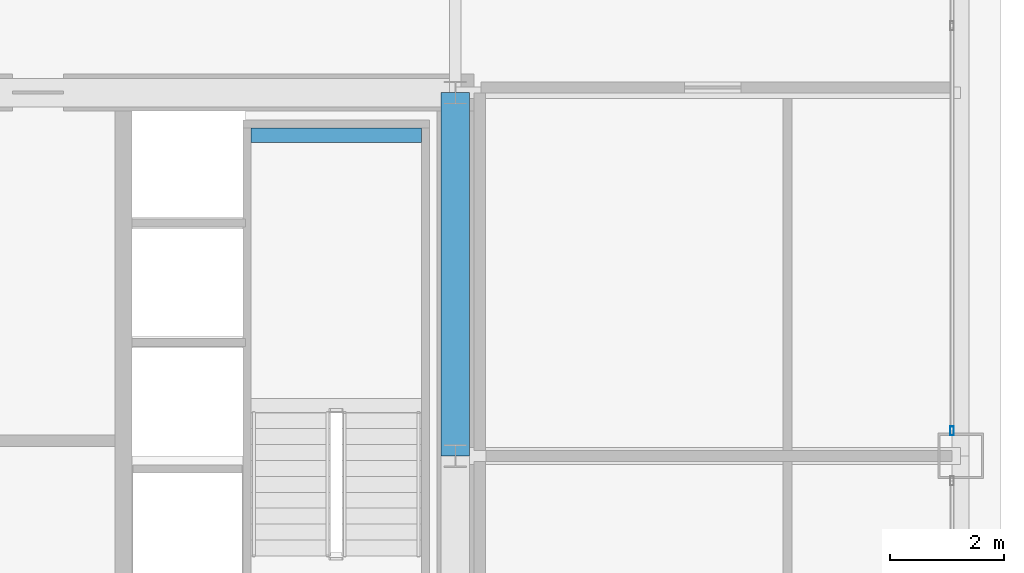
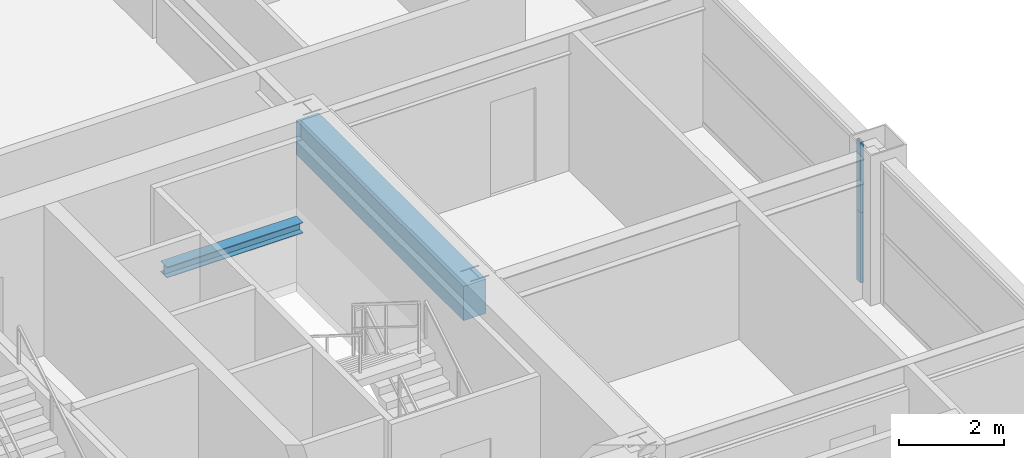
# One storey, part 27 of 45: 2 beams, 2 members, 1 element without a shape of its own.
"""IFC4 building model written with IfcOpenShell, lengths in metres."""

import ifcopenshell
import ifcopenshell.guid

model = None  # the IFC model being written
_history = None  # IfcOwnerHistory: only IFC2X3 demands one
_inside = {}  # id of a spatial element -> (the spatial element, [elements in it])
_under = {}  # id of a project, library or spatial element -> (it, [spatial elements below it])
_declared = {}  # id of a project -> (the project, [libraries it declares])
_typed = {}  # id of a type object -> (the type object, [elements of that type])
_made_of = {}  # id of a material, layer set ... -> (it, [elements and type objects made of it])


def new_model(schema):
    """Start an empty IFC model of exactly this schema.

    Asked for "IFC4X3", IfcOpenShell would pick the latest addendum, in which some entities
    have other attributes; the version numbers below select the first issue.
    IFC2X3 requires an IfcOwnerHistory on every rooted entity: one is made here for all.
    """
    global model, _history
    if schema == "IFC4X3":
        model = ifcopenshell.file(schema_version=(4, 3, 0, 0))
    else:
        model = ifcopenshell.file(schema=schema)
    _inside.clear()
    _under.clear()
    _declared.clear()
    _typed.clear()
    _made_of.clear()
    _history = None
    if model.schema == "IFC2X3":
        org = make("IfcOrganization", Name="unknown")
        user = make(
            "IfcPersonAndOrganization",
            ThePerson=make("IfcPerson", FamilyName="unknown"),
            TheOrganization=org,
        )
        app = make(
            "IfcApplication",
            ApplicationDeveloper=org,
            Version="unknown",
            ApplicationFullName="unknown",
            ApplicationIdentifier="unknown",
        )
        _history = make(
            "IfcOwnerHistory",
            OwningUser=user,
            OwningApplication=app,
            ChangeAction="ADDED",
            CreationDate=0,
        )
    return model


def make(cls, **values):
    """One entity of the class cls with the attributes given. An attribute that is None is left unset."""
    return model.create_entity(
        cls, **{name: value for name, value in values.items() if value is not None}
    )


def rooted(cls, **values):
    """An entity with a GlobalId (a new one), such as an element, a storey or a relation."""
    return make(cls, GlobalId=ifcopenshell.guid.new(), OwnerHistory=_history, **values)


def si_unit(unit_type, name, prefix=None):
    """IfcSIUnit, for example si_unit("LENGTHUNIT", "METRE", prefix="MILLI")."""
    return make("IfcSIUnit", UnitType=unit_type, Prefix=prefix, Name=name)


def assignment(units):
    """IfcUnitAssignment: the units of a project."""
    return None if units is None else make("IfcUnitAssignment", Units=units)


def point(xyz):
    """IfcCartesianPoint."""
    return None if xyz is None else make("IfcCartesianPoint", Coordinates=xyz)


def direction(xyz):
    """IfcDirection."""
    return None if xyz is None else make("IfcDirection", DirectionRatios=xyz)


def frame(location, z_axis=None, x_axis=None):
    """IfcAxis2Placement3D, a coordinate frame: its origin and axes. An axis left out is left unset."""
    return make(
        "IfcAxis2Placement3D",
        Location=point(location),
        Axis=direction(z_axis),
        RefDirection=direction(x_axis),
    )


def frame_2d(location, x_axis=None):
    """IfcAxis2Placement2D, a coordinate frame in the plane: its origin and x axis."""
    return make(
        "IfcAxis2Placement2D", Location=point(location), RefDirection=direction(x_axis)
    )


def origin():
    """The frame at (0, 0, 0) with its axes left unset."""
    return frame((0.0, 0.0, 0.0))


def origin_2d():
    """The frame at (0, 0) in the plane with its x axis left unset."""
    return frame_2d((0.0, 0.0))


def place(relative_to, where):
    """IfcLocalPlacement: puts the frame where relative to a parent placement (None: the world)."""
    return make(
        "IfcLocalPlacement", PlacementRelTo=relative_to, RelativePlacement=where
    )


def context(
    kind, dimensions, precision=None, world=None, true_north=None, identifier=None
):
    """IfcGeometricRepresentationContext, for example the 3D "Model" context."""
    return make(
        "IfcGeometricRepresentationContext",
        ContextIdentifier=identifier,
        ContextType=kind,
        CoordinateSpaceDimension=dimensions,
        Precision=precision,
        WorldCoordinateSystem=world,
        TrueNorth=true_north,
    )


def subcontext(parent, identifier, kind, view, scale=None):
    """IfcGeometricRepresentationSubContext, for example "Body" below "Model"."""
    return make(
        "IfcGeometricRepresentationSubContext",
        ContextIdentifier=identifier,
        ContextType=kind,
        ParentContext=parent,
        TargetScale=scale,
        TargetView=view,
    )


def project(units=None, contexts=None):
    """IfcProject with its units and contexts."""
    return rooted(
        "IfcProject",
        Name="project",
        RepresentationContexts=contexts,
        UnitsInContext=assignment(units),
    )


def spatial(cls, under=None, at=None, **own):
    """A site, building, storey or space (cls), placed at a placement, below another one or the project."""
    s = rooted(cls, ObjectPlacement=at, **own)
    if under is not None:
        _under.setdefault(under.id(), (under, []))[1].append(s)
    return s


def profile(cls, at=None, kind="AREA", **sizes):
    """A parametric profile (cls). Its sizes go by their IFC names, for example OverallWidth=200.0."""
    return make(cls, ProfileType=kind, Position=at, **sizes)


def rectangle(**sizes):
    """IfcRectangleProfileDef."""
    return profile("IfcRectangleProfileDef", **sizes)


def hollow_rectangle(**sizes):
    """IfcRectangleHollowProfileDef."""
    return profile("IfcRectangleHollowProfileDef", **sizes)


def i_section(**sizes):
    """IfcIShapeProfileDef."""
    return profile("IfcIShapeProfileDef", **sizes)


def extrude(swept, where, along, depth):
    """IfcExtrudedAreaSolid: the profile swept, set in the frame where, extruded along a direction by depth."""
    return make(
        "IfcExtrudedAreaSolid",
        SweptArea=swept,
        Position=where,
        ExtrudedDirection=direction(along),
        Depth=depth,
    )


def shape(context_of_items, identifier, shape_type, items):
    """IfcShapeRepresentation: the items that make up one representation, for example the "Body"."""
    return make(
        "IfcShapeRepresentation",
        ContextOfItems=context_of_items,
        RepresentationIdentifier=identifier,
        RepresentationType=shape_type,
        Items=items,
    )


def source(mapping_origin, context_of_items, identifier, shape_type, items):
    """IfcRepresentationMap: a shape defined once, which mapped items show again and again."""
    return make(
        "IfcRepresentationMap",
        MappingOrigin=mapping_origin,
        MappedRepresentation=shape(context_of_items, identifier, shape_type, items),
    )


def transform(
    local_origin,
    x_axis=None,
    y_axis=None,
    z_axis=None,
    scale=None,
    scale2=None,
    scale3=None,
    uniform=True,
):
    """IfcCartesianTransformationOperator3D, or its non-uniform kind. x_axis, y_axis, z_axis: its Axis1, 2, 3."""
    if uniform:
        return make(
            "IfcCartesianTransformationOperator3D",
            Axis1=direction(x_axis),
            Axis2=direction(y_axis),
            LocalOrigin=point(local_origin),
            Scale=scale,
            Axis3=direction(z_axis),
        )
    return make(
        "IfcCartesianTransformationOperator3DnonUniform",
        Axis1=direction(x_axis),
        Axis2=direction(y_axis),
        LocalOrigin=point(local_origin),
        Scale=scale,
        Axis3=direction(z_axis),
        Scale2=scale2,
        Scale3=scale3,
    )


def mapped(mapping_source, mapping_target):
    """IfcMappedItem: shows the shape of a source again, moved by a transform."""
    return make(
        "IfcMappedItem", MappingSource=mapping_source, MappingTarget=mapping_target
    )


def material(Name=None, Category=None):
    """IfcMaterial."""
    return make("IfcMaterial", Name=Name, Category=Category)


def layer(
    of_material, thickness, ventilated=None, Name=None, Category=None, Priority=None
):
    """IfcMaterialLayer: one layer of a wall or slab, of a material (None: an air gap)."""
    return make(
        "IfcMaterialLayer",
        Material=of_material,
        LayerThickness=thickness,
        IsVentilated=ventilated,
        Name=Name,
        Category=Category,
        Priority=Priority,
    )


def layer_set(layers, Name=None):
    """IfcMaterialLayerSet."""
    return make("IfcMaterialLayerSet", MaterialLayers=layers, LayerSetName=Name)


def material_profile(
    of_material, cross_section, Name=None, Category=None, Priority=None
):
    """IfcMaterialProfile: a cross section and its material."""
    return make(
        "IfcMaterialProfile",
        Name=Name,
        Material=of_material,
        Profile=cross_section,
        Priority=Priority,
        Category=Category,
    )


def profile_set(profiles, Name=None, composite=None):
    """IfcMaterialProfileSet."""
    return make(
        "IfcMaterialProfileSet",
        Name=Name,
        MaterialProfiles=profiles,
        CompositeProfile=composite,
    )


def made_of(thing, what):
    """Note that an element or type object is made of a material, layer set ...; save() writes the relation."""
    if what is not None:
        _made_of.setdefault(what.id(), (what, []))[1].append(thing)
    return thing


def type_object(cls, material=None, **own):
    """A type object (cls), such as IfcWallType, which elements share."""
    return made_of(rooted(cls, **own), material)


def element(
    cls,
    number,
    at=None,
    inside=None,
    cuts=None,
    type_object=None,
    material=None,
    context=None,
    identifier="Body",
    shape_type=None,
    held_by="IfcProductDefinitionShape",
    body=None,
    shapes=None,
    **own,
):
    """One element of the class cls, such as IfcWall. Its Tag is "e" and its number.

    at: its placement. inside: the storey or other place that contains it. cuts: it is an
    opening in that element (IfcRelVoidsElement). A single representation is given by context,
    identifier, shape_type and body (its items); several are given by shapes. held_by: the class
    of the entity that holds the representations. save() writes the other relations.
    """
    e = rooted(cls, Tag="e%d" % number, ObjectPlacement=at, **own)
    if body is not None:
        shapes = [shape(context, identifier, shape_type, body)]
    if shapes is not None:
        e.Representation = make(held_by, Representations=shapes)
    if inside is not None:
        _inside.setdefault(inside.id(), (inside, []))[1].append(e)
    if cuts is not None:
        rooted(
            "IfcRelVoidsElement", RelatingBuildingElement=cuts, RelatedOpeningElement=e
        )
    if type_object is not None:
        _typed.setdefault(type_object.id(), (type_object, []))[1].append(e)
    return made_of(e, material)


def aggregate(whole, parts):
    """IfcRelAggregates: a whole, such as a stair, and the parts it consists of."""
    return rooted("IfcRelAggregates", RelatingObject=whole, RelatedObjects=parts)


def save(model, path):
    """Write the relations noted so far, then the file.

    IfcRelAggregates (storeys below a building ...), IfcRelContainedInSpatialStructure (elements
    in a storey), IfcRelDefinesByType, IfcRelAssociatesMaterial and IfcRelDeclares: one each for
    every whole, place, type object, material and project.
    """
    for whole, parts in _under.values():
        aggregate(whole, parts)
    for where, things in _inside.values():
        rooted(
            "IfcRelContainedInSpatialStructure",
            RelatedElements=things,
            RelatingStructure=where,
        )
    for kind, things in _typed.values():
        rooted("IfcRelDefinesByType", RelatedObjects=things, RelatingType=kind)
    for what, things in _made_of.values():
        rooted("IfcRelAssociatesMaterial", RelatedObjects=things, RelatingMaterial=what)
    for by, libraries in _declared.values():
        rooted("IfcRelDeclares", RelatingContext=by, RelatedDefinitions=libraries)
    model.write(path)


model = new_model("IFC4")

# Units and contexts
model_context = context("Model", 3, precision=1e-05, world=origin(), true_north=direction((0.0, 1.0)))
body_context = subcontext(model_context, "Body", "Model", "MODEL_VIEW")
ifc_project = project(units=[si_unit("LENGTHUNIT", "METRE"), si_unit("AREAUNIT", "SQUARE_METRE"), si_unit("VOLUMEUNIT", "CUBIC_METRE"), si_unit("PLANEANGLEUNIT", "RADIAN"), si_unit("MASSUNIT", "GRAM", prefix="KILO"), si_unit("THERMODYNAMICTEMPERATUREUNIT", "KELVIN"), si_unit("POWERUNIT", "WATT")], contexts=[model_context])

# Site, building, storey
site_placement = place(None, origin())
site = spatial("IfcSite", under=ifc_project, at=site_placement, CompositionType="ELEMENT")
building_placement = place(site_placement, origin())
building = spatial("IfcBuilding", under=site, at=building_placement, Name="Yuzanri Waterfront Tower", CompositionType="ELEMENT")
storey_placement = place(building_placement, frame((0.0, 0.0, 212.5)))
storey = spatial("IfcBuildingStorey", under=building, at=storey_placement, Name="L56", CompositionType="ELEMENT", Elevation=212.5)

# Beam
ifc_material_1 = material(Name="Concrete C50", Category="concrete")
ifc_material_profile_1 = material_profile(ifc_material_1, rectangle(XDim=0.5, YDim=0.800048828125, at=origin_2d()), Name="RC 500x800")
ifc_profile_set_1 = profile_set([ifc_material_profile_1], Name="Concrete C50")
beam_type_1 = type_object("IfcBeamType", Name="Core Coupling Lintel Concrete C50 500x800", PredefinedType="LINTEL", material=ifc_profile_set_1)
shared_shape_1 = source(origin(), body_context, "Body", "SweptSolid", [
    extrude(rectangle(XDim=0.5, YDim=0.800048828125, at=origin_2d()), origin(), (0.0, 0.0, 1.0), 6.39990234375),
])
beam_1_placement = place(storey_placement, frame((50.199951171875, 25.800048828125, 2.8798828125), z_axis=(0.0, 1.0, 0.0), x_axis=(-1.0, 0.0, 0.0)))
element("IfcBeam", 1, at=beam_1_placement, inside=storey, type_object=beam_type_1, Name="L56 Core Tie Beam CE2", PredefinedType="LINTEL", context=body_context, shape_type="MappedRepresentation", body=[
    mapped(shared_shape_1, transform((0.0, 0.0, 0.0), scale=1.0)),
])

# Curtain wall, members
ifc_material_2 = material(Name="Anodized Architectural Bronze", Category="metal")
ifc_layer = layer(ifc_material_2, 0.159912109375)
ifc_layer_set = layer_set([ifc_layer], Name="Anodized Architectural Bronze")
curtain_wall_type = type_object("IfcCurtainWallType", Name="Anodized Bronze Mid-Rise Residential Acoustic Unitized Curtain Wall 7200", PredefinedType="NOTDEFINED", material=ifc_layer_set)
curtain_wall_placement = place(storey_placement, origin())
curtain_wall = element("IfcCurtainWall", 2, at=curtain_wall_placement, inside=storey, type_object=curtain_wall_type, Name="L56 Curtain Wall CW-L56-ER", PredefinedType="NOTDEFINED")
ifc_material_3 = material(Name="Anodized Architectural Bronze", Category="metal")
ifc_material_profile_2 = material_profile(ifc_material_3, hollow_rectangle(XDim=0.06494140625, YDim=0.159912109375, WallThickness=0.00341796875, at=origin_2d()), Name="CWM 65x160")
ifc_profile_set_2 = profile_set([ifc_material_profile_2], Name="Anodized Architectural Bronze")
member_type = type_object("IfcMemberType", Name="Anodized Bronze Upper-Zone Curtain-Wall Mullion 65x160", PredefinedType="MULLION", material=ifc_profile_set_2)
shared_shape_2 = source(origin(), body_context, "Body", "SweptSolid", [
    extrude(hollow_rectangle(XDim=0.06494140625, YDim=0.159912109375, WallThickness=0.00341796875, at=origin_2d()), origin(), (0.0, 0.0, 1.0), 1.637939453125),
])
member_1_placement = place(storey_placement, frame((58.949951171875, 26.239990234375, 0.0), z_axis=(0.0, 0.0, 1.0), x_axis=(1.0, 0.0, 0.0)))
member_1 = element("IfcMember", 3, at=member_1_placement, type_object=member_type, Name="CW-L56-ER Lower Mullion 00", PredefinedType="MULLION", context=body_context, shape_type="MappedRepresentation", body=[
    mapped(shared_shape_2, transform((0.0, 0.0, 0.0), scale=1.0)),
])
member_2_placement = place(storey_placement, frame((58.949951171875, 26.239990234375, 1.64208984375), z_axis=(0.0, 0.0, 1.0), x_axis=(1.0, 0.0, 0.0)))
member_2 = element("IfcMember", 4, at=member_2_placement, type_object=member_type, Name="CW-L56-ER Upper Mullion 00", PredefinedType="MULLION", context=body_context, shape_type="MappedRepresentation", body=[
    mapped(shared_shape_2, transform((0.0, 0.0, 0.0), scale=1.0)),
])
aggregate(curtain_wall, [member_1, member_2])

# Beam
ifc_material_4 = material(Name="Steel Q355B", Category="steel")
ifc_material_profile_3 = material_profile(ifc_material_4, i_section(OverallWidth=0.25, OverallDepth=0.25, WebThickness=0.009033203125, FlangeThickness=0.013916015625, at=origin_2d()), Name="HW 250x250x9x14")
ifc_profile_set_3 = profile_set([ifc_material_profile_3], Name="Steel Q355B")
beam_type_2 = type_object("IfcBeamType", Name="Stair Landing Support Beam Q355B HW 250x250", PredefinedType="BEAM", material=ifc_profile_set_3)
shared_shape_3 = source(origin(), body_context, "Body", "SweptSolid", [
    extrude(i_section(OverallWidth=0.25, OverallDepth=0.25, WebThickness=0.009033203125, FlangeThickness=0.013916015625, at=origin_2d()), origin(), (0.0, 0.0, 1.0), 3.0),
])
beam_2_placement = place(storey_placement, frame((46.60009765625, 31.449951171875, 1.425048828125), z_axis=(1.0, 0.0, 0.0), x_axis=(0.0, 1.0, 0.0)))
element("IfcBeam", 5, at=beam_2_placement, inside=storey, type_object=beam_type_2, Name="L56 Stair Landing Support Beam ST-02-L56-L1-2", PredefinedType="BEAM", context=body_context, shape_type="MappedRepresentation", body=[
    mapped(shared_shape_3, transform((0.0, 0.0, 0.0), scale=1.0)),
])

save(model, "model.ifc")
